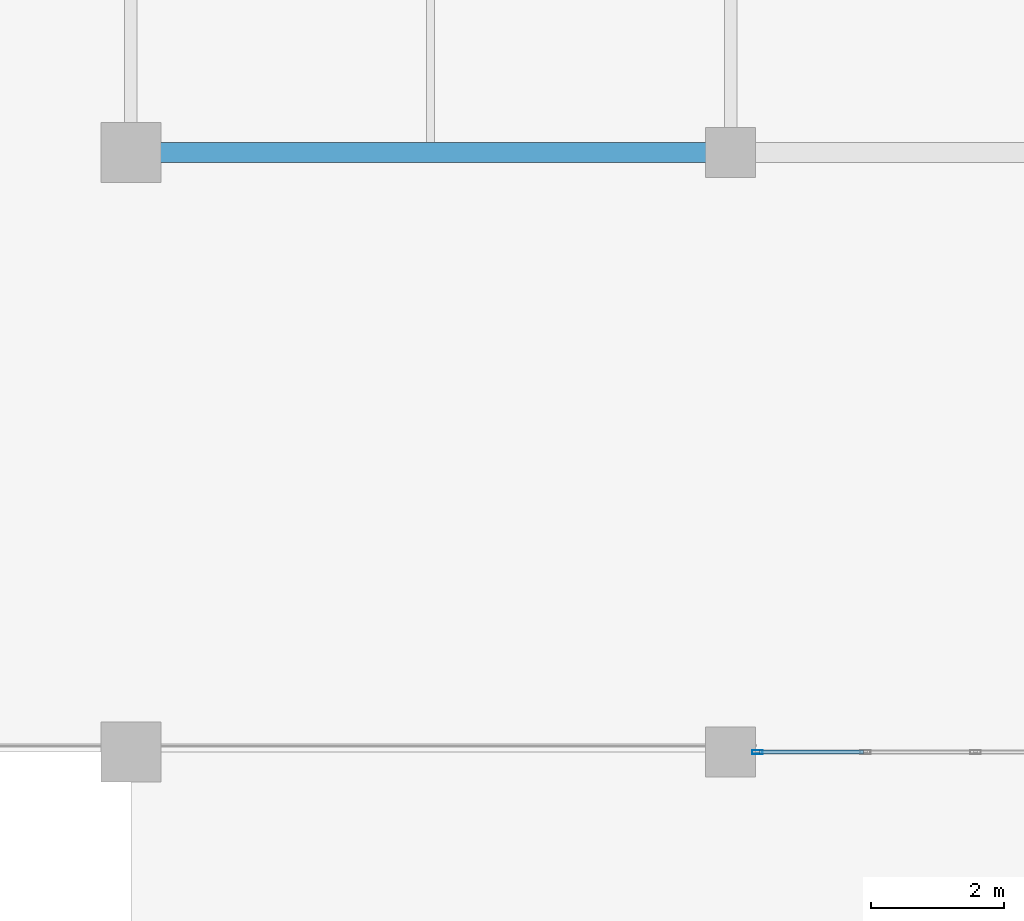
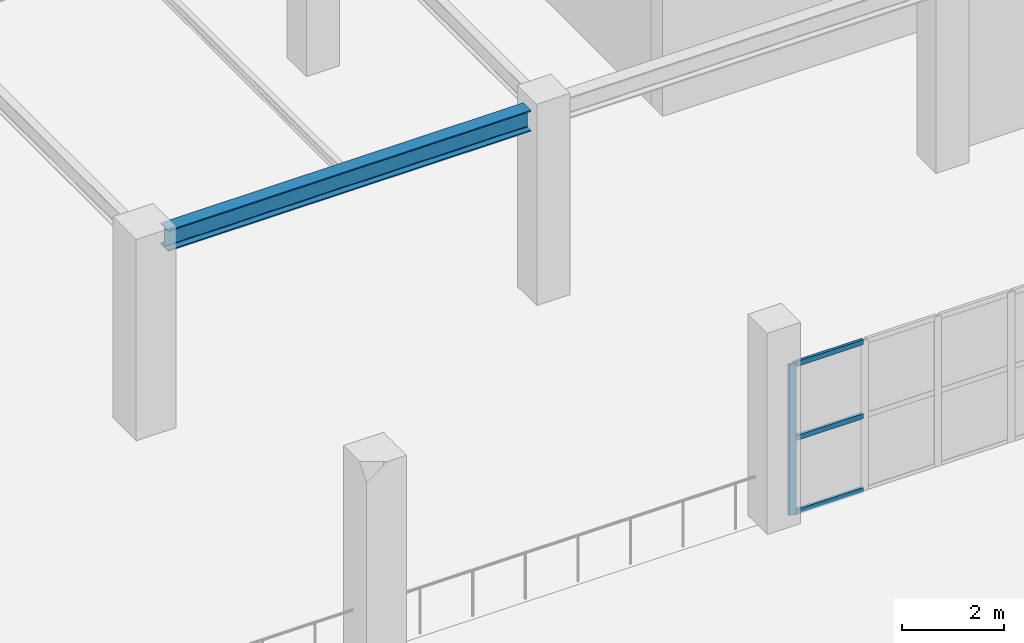
# One storey, part 12 of 89: 4 members, 1 beam, 1 element without a shape of its own.
"""IFC4 building model written with IfcOpenShell, lengths in metres."""

from ifc_helpers import new_model, si_unit, direction, frame, origin, origin_2d, place, context, subcontext, project, spatial, hollow_rectangle, i_section, extrude, material, layer, layer_set, material_profile, profile_set, type_object, element, aggregate, save


model = new_model("IFC4")

# Units and contexts
model_context = context("Model", 3, precision=1e-05, world=origin(), true_north=direction((0.0, 1.0)))
body_context = subcontext(model_context, "Body", "Model", "MODEL_VIEW")
ifc_project = project(units=[si_unit("LENGTHUNIT", "METRE"), si_unit("AREAUNIT", "SQUARE_METRE"), si_unit("VOLUMEUNIT", "CUBIC_METRE"), si_unit("PLANEANGLEUNIT", "RADIAN"), si_unit("MASSUNIT", "GRAM", prefix="KILO")], contexts=[model_context])

# Site, building, storey
site_placement = place(None, origin())
site = spatial("IfcSite", under=ifc_project, at=site_placement, CompositionType="ELEMENT")
building_placement = place(site_placement, origin())
building = spatial("IfcBuilding", under=site, at=building_placement, Name="Dornveld Trade and Exhibition Forum", CompositionType="ELEMENT")
storey_placement = place(building_placement, frame((0.0, 0.0, 12.0)))
storey = spatial("IfcBuildingStorey", under=building, at=storey_placement, Name="L02", CompositionType="ELEMENT", Elevation=12.0)

# Beam
ifc_material_1 = material(Name="Steel S355J2", Category="steel")
ifc_material_profile_1 = material_profile(ifc_material_1, i_section(OverallWidth=0.300048828125, OverallDepth=0.5, WebThickness=0.014404296875, FlangeThickness=0.028076171875, FilletRadius=0.027099609375, at=origin_2d()), Name="HEB 500")
ifc_profile_set_1 = profile_set([ifc_material_profile_1], Name="Steel S355J2")
beam_type = type_object("IfcBeamType", Name="BM-GIR-HEB500", PredefinedType="USERDEFINED", material=ifc_profile_set_1)
beam_placement = place(storey_placement, frame((90.446044921875, 45.0, 4.27001953125), z_axis=(1.0, 0.0, 0.0), x_axis=(0.0, 1.0, 0.0)))
element("IfcBeam", 1, at=beam_placement, inside=storey, type_object=beam_type, Name="L02 X-girder 1467", ObjectType="GIRDER", PredefinedType="USERDEFINED", context=body_context, shape_type="SweptSolid", body=[
    extrude(i_section(OverallWidth=0.300048828125, OverallDepth=0.5, WebThickness=0.014404296875, FlangeThickness=0.028076171875, FilletRadius=0.027099609375, at=origin_2d()), origin(), (0.0, 0.0, 1.0), 8.182861328125),
])

# Curtain wall, members
ifc_material_2 = material(Name="Dark-bronze anodised aluminium and low-E glass", Category="aluminium")
ifc_layer = layer(ifc_material_2, 0.177978515625)
ifc_layer_set = layer_set([ifc_layer], Name="Dark-bronze anodised aluminium and low-E glass")
curtain_wall_type = type_object("IfcCurtainWallType", Name="CW-SYS-12", PredefinedType="USERDEFINED", material=ifc_layer_set)
curtain_wall_placement = place(storey_placement, origin())
curtain_wall = element("IfcCurtainWall", 2, at=curtain_wall_placement, inside=storey, type_object=curtain_wall_type, Name="L02 unitised curtain wall 48", ObjectType="UNITISED_CURTAIN_WALL", PredefinedType="USERDEFINED")
ifc_material_3 = material(Name="Dark-bronze anodised aluminium", Category="aluminium")
ifc_material_profile_2 = material_profile(ifc_material_3, hollow_rectangle(XDim=0.06005859375, YDim=0.159912109375, WallThickness=0.00390625, at=origin_2d()), Name="RHS 160x60x4")
ifc_profile_set_2 = profile_set([ifc_material_profile_2], Name="Dark-bronze anodised aluminium")
member_type_1 = type_object("IfcMemberType", Name="CW-MUL-160", PredefinedType="MULLION", material=ifc_profile_set_2)
member_1_placement = place(storey_placement, frame((99.40087890625, 36.0, -0.00390625), z_axis=(0.0, 0.0, 1.0), x_axis=(0.0, 1.0, 0.0)))
member_1 = element("IfcMember", 3, at=member_1_placement, type_object=member_type_1, Name="CW-12 mullion 1", PredefinedType="MULLION", context=body_context, shape_type="SweptSolid", body=[
    extrude(hollow_rectangle(XDim=0.06005859375, YDim=0.159912109375, WallThickness=0.00390625, at=origin_2d()), origin(), (0.0, 0.0, 1.0), 3.583984375),
])
ifc_material_4 = material(Name="Dark-bronze anodised aluminium", Category="aluminium")
ifc_material_profile_3 = material_profile(ifc_material_4, hollow_rectangle(XDim=0.06005859375, YDim=0.1201171875, WallThickness=0.00390625, at=origin_2d()), Name="RHS 120x60x4")
ifc_profile_set_3 = profile_set([ifc_material_profile_3], Name="Dark-bronze anodised aluminium")
member_type_2 = type_object("IfcMemberType", Name="CW-TRN-120", PredefinedType="USERDEFINED", material=ifc_profile_set_3)
member_2_placement = place(storey_placement, frame((99.430908203125, 36.0, 0.02587890625), z_axis=(1.0, 0.0, 0.0), x_axis=(0.0, 1.0, 0.0)))
member_2 = element("IfcMember", 4, at=member_2_placement, type_object=member_type_2, Name="CW-12 transom 1.1", ObjectType="TRANSOM", PredefinedType="USERDEFINED", context=body_context, shape_type="SweptSolid", body=[
    extrude(hollow_rectangle(XDim=0.06005859375, YDim=0.1201171875, WallThickness=0.00390625, at=origin_2d()), origin(), (0.0, 0.0, 1.0), 1.561767578125),
])
member_3_placement = place(storey_placement, frame((99.430908203125, 36.0, 1.7880859375), z_axis=(1.0, 0.0, 0.0), x_axis=(0.0, 1.0, 0.0)))
member_3 = element("IfcMember", 5, at=member_3_placement, type_object=member_type_2, Name="CW-12 transom 1.2", ObjectType="TRANSOM", PredefinedType="USERDEFINED", context=body_context, shape_type="SweptSolid", body=[
    extrude(hollow_rectangle(XDim=0.06005859375, YDim=0.1201171875, WallThickness=0.00390625, at=origin_2d()), origin(), (0.0, 0.0, 1.0), 1.561767578125),
])
member_4_placement = place(storey_placement, frame((99.430908203125, 36.0, 3.550048828125), z_axis=(1.0, 0.0, 0.0), x_axis=(0.0, 1.0, 0.0)))
member_4 = element("IfcMember", 6, at=member_4_placement, type_object=member_type_2, Name="CW-12 transom 1.3", ObjectType="TRANSOM", PredefinedType="USERDEFINED", context=body_context, shape_type="SweptSolid", body=[
    extrude(hollow_rectangle(XDim=0.06005859375, YDim=0.1201171875, WallThickness=0.00390625, at=origin_2d()), origin(), (0.0, 0.0, 1.0), 1.561767578125),
])
aggregate(curtain_wall, [member_1, member_2, member_3, member_4])

save(model, "model.ifc")
